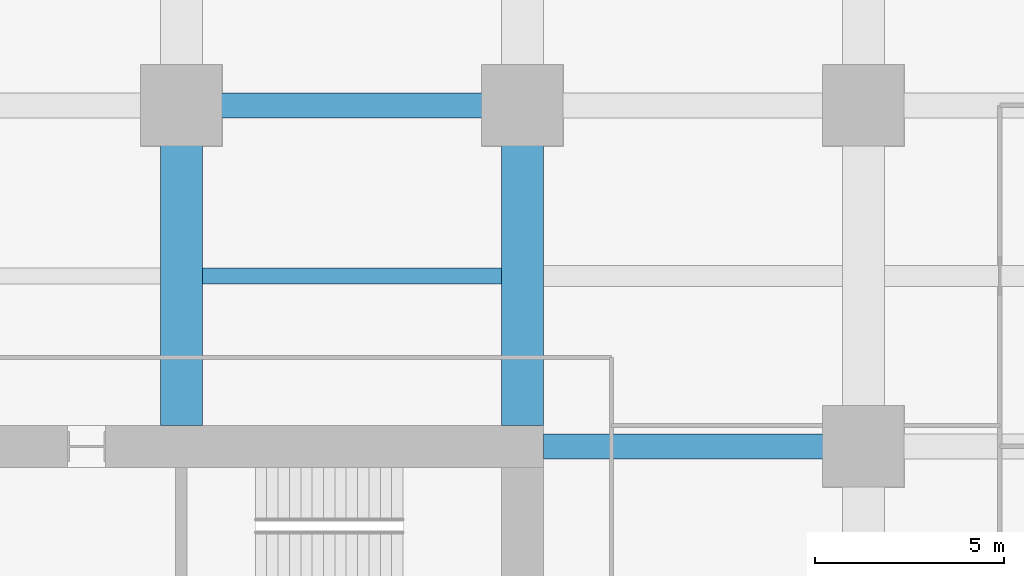
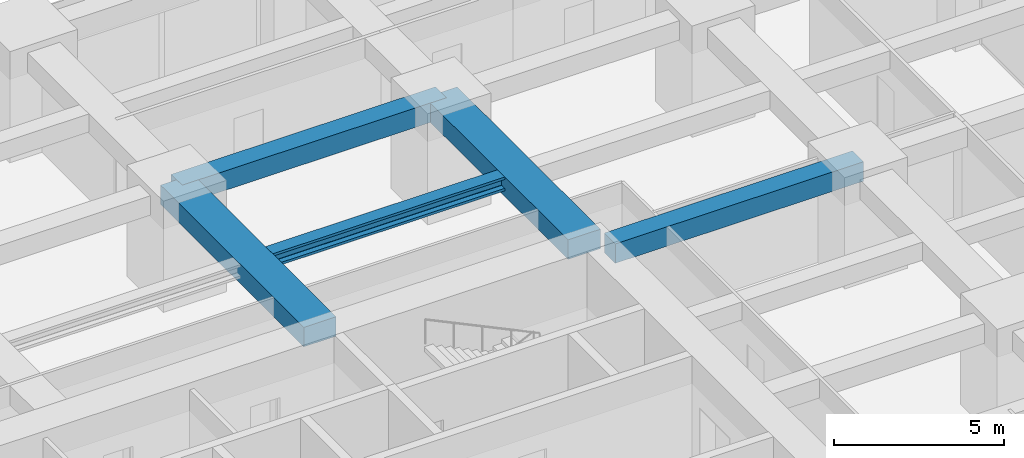
# One storey, part 31 of 44: 5 beams.
"""IFC4 building model written with IfcOpenShell, lengths in metres."""

from ifc_helpers import new_model, si_unit, direction, frame, origin, origin_2d, place, context, subcontext, project, spatial, rectangle, i_section, extrude, material, material_profile, profile_set, type_object, element, save


model = new_model("IFC4")

# Units and contexts
model_context = context("Model", 3, precision=1e-05, world=origin(), true_north=direction((0.0, 1.0)))
body_context = subcontext(model_context, "Body", "Model", "MODEL_VIEW")
ifc_project = project(units=[si_unit("LENGTHUNIT", "METRE"), si_unit("AREAUNIT", "SQUARE_METRE"), si_unit("VOLUMEUNIT", "CUBIC_METRE"), si_unit("PLANEANGLEUNIT", "RADIAN"), si_unit("MASSUNIT", "GRAM", prefix="KILO")], contexts=[model_context])

# Site, building, storey
site_placement = place(None, origin())
site = spatial("IfcSite", under=ifc_project, at=site_placement, CompositionType="ELEMENT")
building_placement = place(site_placement, origin())
building = spatial("IfcBuilding", under=site, at=building_placement, Name="Zorevar Civic Tower", CompositionType="ELEMENT")
storey_placement = place(building_placement, frame((0.0, 0.0, 55.800048828125)))
storey = spatial("IfcBuildingStorey", under=building, at=storey_placement, Name="L13", CompositionType="ELEMENT", Elevation=55.800048828125)

# Beams
ifc_material_1 = material(Name="Concrete C50/60", Category="concrete")
ifc_material_profile_1 = material_profile(ifc_material_1, rectangle(XDim=1.10009765625, YDim=0.699951171875, at=origin_2d()), Name="RC 1100x700")
ifc_profile_set_1 = profile_set([ifc_material_profile_1], Name="Concrete C50/60")
beam_type_1 = type_object("IfcBeamType", Name="Beam RC 1100x700", PredefinedType="BEAM", material=ifc_profile_set_1)
for number, where, z_axis, x_axis, name in (
    (1, (36.0, 36.550048828125, 3.39990234375), (0.0, 1.0, 0.0), (-1.0, 0.0, 0.0), "Girder L14"),
    (2, (45.0, 36.550048828125, 3.39990234375), (0.0, 1.0, 0.0), (-1.0, 0.0, 0.0), "Girder L14"),
):
    element("IfcBeam", number, at=place(storey_placement, frame(where, z_axis=z_axis, x_axis=x_axis)), inside=storey, type_object=beam_type_1, Name=name, PredefinedType="BEAM", context=body_context, shape_type="SweptSolid", body=[
        extrude(rectangle(XDim=1.10009765625, YDim=0.699951171875, at=origin_2d()), origin(), (0.0, 0.0, 1.0), 8.449951171875),
    ])
ifc_material_2 = material(Name="Concrete C50/60", Category="concrete")
ifc_material_profile_2 = material_profile(ifc_material_2, rectangle(XDim=0.64990234375, YDim=0.699951171875, at=origin_2d()), Name="RC 650x700")
ifc_profile_set_2 = profile_set([ifc_material_profile_2], Name="Concrete C50/60")
beam_type_2 = type_object("IfcBeamType", Name="Beam RC 650x700", PredefinedType="BEAM", material=ifc_profile_set_2)
beam_1_placement = place(storey_placement, frame((45.550048828125, 36.0, 3.39990234375), z_axis=(1.0, 0.0, 0.0), x_axis=(0.0, 1.0, 0.0)))
element("IfcBeam", 3, at=beam_1_placement, inside=storey, type_object=beam_type_2, Name="Girder L14", PredefinedType="BEAM", context=body_context, shape_type="SweptSolid", body=[
    extrude(rectangle(XDim=0.64990234375, YDim=0.699951171875, at=origin_2d()), origin(), (0.0, 0.0, 1.0), 8.449951171875),
])
beam_2_placement = place(storey_placement, frame((36.0, 45.0, 3.39990234375), z_axis=(1.0, 0.0, 0.0), x_axis=(0.0, 1.0, 0.0)))
element("IfcBeam", 4, at=beam_2_placement, inside=storey, type_object=beam_type_2, Name="Girder L14", PredefinedType="BEAM", context=body_context, shape_type="SweptSolid", body=[
    extrude(rectangle(XDim=0.64990234375, YDim=0.699951171875, at=origin_2d()), origin(), (0.0, 0.0, 1.0), 9.0),
])
ifc_material_3 = material(Name="Steel S460M (HISTAR 460)", Category="steel")
ifc_material_profile_3 = material_profile(ifc_material_3, i_section(OverallWidth=0.431884765625, OverallDepth=0.498046875, WebThickness=0.0556640625, FlangeThickness=0.0888671875, FilletRadius=0.014892578125, at=origin_2d()), Name="HD 400x744")
ifc_profile_set_3 = profile_set([ifc_material_profile_3], Name="Steel S460M (HISTAR 460)")
beam_type_3 = type_object("IfcBeamType", Name="Core bay beam HD 400x744", PredefinedType="BEAM", material=ifc_profile_set_3)
beam_3_placement = place(storey_placement, frame((36.550048828125, 40.5, 3.5009765625), z_axis=(1.0, 0.0, 0.0), x_axis=(0.0, 1.0, 0.0)))
element("IfcBeam", 5, at=beam_3_placement, inside=storey, type_object=beam_type_3, Name="Secondary beam L14", PredefinedType="BEAM", context=body_context, shape_type="SweptSolid", body=[
    extrude(i_section(OverallWidth=0.431884765625, OverallDepth=0.498046875, WebThickness=0.0556640625, FlangeThickness=0.0888671875, FilletRadius=0.014892578125, at=origin_2d()), origin(), (0.0, 0.0, 1.0), 7.89990234375),
])

save(model, "model.ifc")
